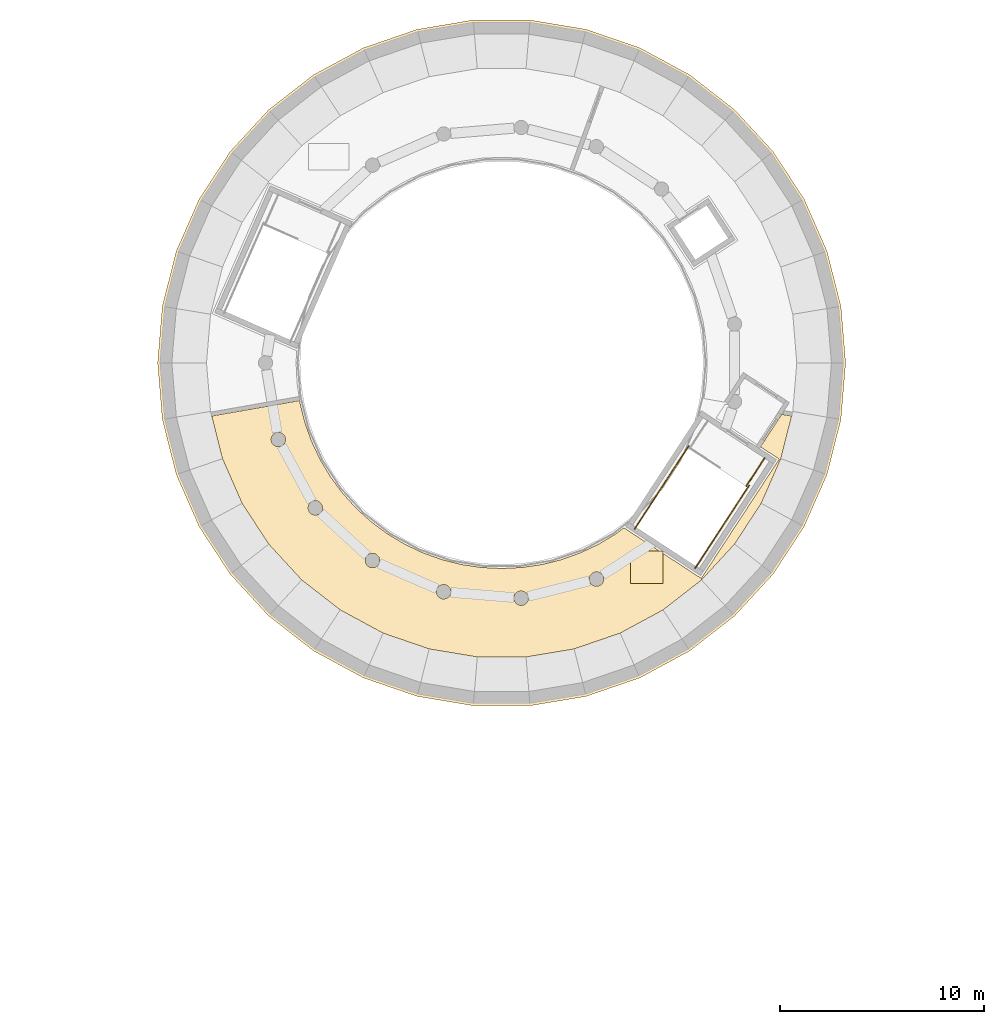
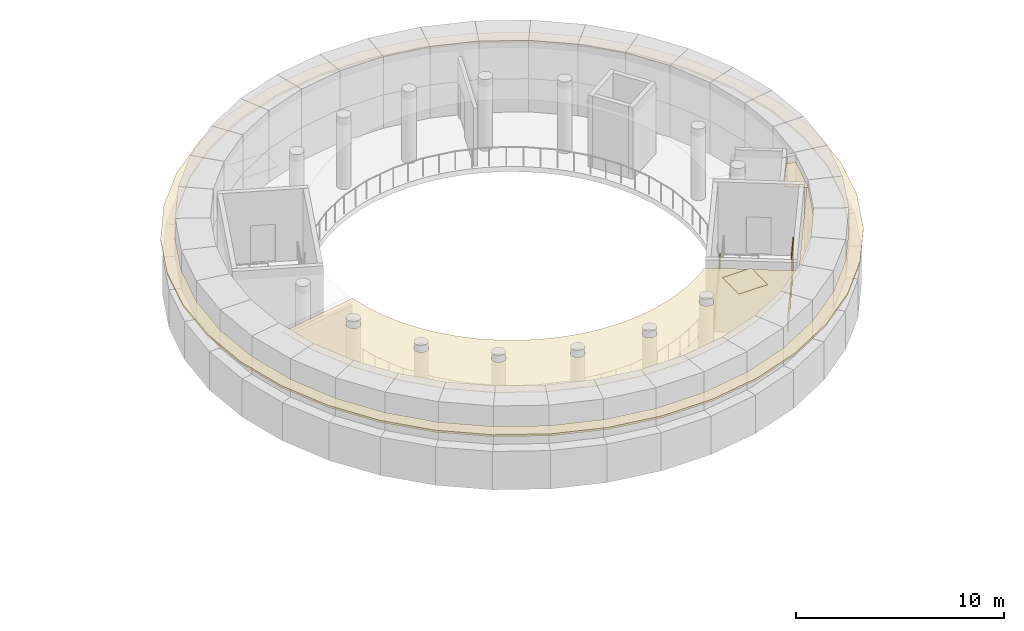
# One storey, part 86 of 92: 3 coverings, 3 railings.
"""IFC4 building model written with IfcOpenShell, lengths in metres."""

from ifc_helpers import new_model, si_unit, direction, frame, origin, origin_2d, place, context, subcontext, project, spatial, polyline, circle, outline, extrude, material, layer, layer_set, type_object, element, save


model = new_model("IFC4")

# Units and contexts
model_context = context("Model", 3, precision=1e-05, world=origin(), true_north=direction((0.0, 1.0)))
body_context = subcontext(model_context, "Body", "Model", "MODEL_VIEW")
ifc_project = project(units=[si_unit("LENGTHUNIT", "METRE"), si_unit("AREAUNIT", "SQUARE_METRE"), si_unit("VOLUMEUNIT", "CUBIC_METRE"), si_unit("PLANEANGLEUNIT", "RADIAN"), si_unit("MASSUNIT", "GRAM", prefix="KILO")], contexts=[model_context])

# Site, building, storey
site_placement = place(None, origin())
site = spatial("IfcSite", under=ifc_project, at=site_placement, CompositionType="ELEMENT")
building_placement = place(site_placement, origin())
building = spatial("IfcBuilding", under=site, at=building_placement, Name="Sun Court Science Centre", CompositionType="ELEMENT")
storey_placement = place(building_placement, frame((0.0, 0.0, 11.25)))
storey = spatial("IfcBuildingStorey", under=building, at=storey_placement, Name="L02", CompositionType="ELEMENT", Elevation=11.25)

# Coverings
ifc_material_1 = material(Name="Gypsum board")
ifc_layer_1 = layer(ifc_material_1, 0.030029296875)
ifc_layer_set_1 = layer_set([ifc_layer_1], Name="Gypsum board")
covering_type_1 = type_object("IfcCoveringType", Name="Ceiling suspended 600 module", PredefinedType="CEILING", material=ifc_layer_set_1)
covering_1_placement = place(storey_placement, frame((0.0, 0.0, 3.77001953125)))
element("IfcCovering", 1, at=covering_1_placement, inside=storey, type_object=covering_type_1, Name="L02-065 ceiling", PredefinedType="CEILING", context=body_context, shape_type="SweptSolid", body=[
    extrude(outline(polyline([(45.388671875, 88.402099609375), (46.239013671875, 87.892578125), (47.135009765625, 87.46875), (48.068115234375, 87.135009765625), (49.029541015625, 86.89404296875), (50.010009765625, 86.74853515625), (51.0, 86.699951171875), (51.989990234375, 86.74853515625), (52.970458984375, 86.89404296875), (53.931884765625, 87.135009765625), (54.864990234375, 87.46875), (55.760986328125, 87.892578125), (56.611328125, 88.402099609375), (57.00634765625, 88.695068359375), (58.757080078125, 87.55126953125), (57.332275390625, 87.55126953125), (57.332275390625, 85.951171875), (58.93212890625, 85.951171875), (58.93212890625, 87.436767578125), (60.805908203125, 86.212646484375), (64.634521484375, 92.07275390625), (63.7138671875, 92.674560546875), (64.7578125, 94.272705078125), (65.2431640625, 94.18701171875), (64.712646484375, 92.09228515625), (63.7509765625, 89.899658203125), (62.441162109375, 87.89501953125), (60.8193359375, 86.13330078125), (58.9296875, 84.66259765625), (56.823974609375, 83.52294921875), (54.55908203125, 82.745361328125), (52.197265625, 82.351318359375), (49.802734375, 82.351318359375), (47.44091796875, 82.745361328125), (45.176025390625, 83.52294921875), (43.0703125, 84.66259765625), (41.1806640625, 86.13330078125), (39.558837890625, 87.89501953125), (38.2490234375, 89.899658203125), (37.287353515625, 92.09228515625), (36.7568359375, 94.18701171875), (41.076416015625, 94.94873046875), (41.093994140625, 94.82958984375), (41.3349609375, 93.8681640625), (41.668701171875, 92.934814453125), (42.092529296875, 92.038818359375), (42.602294921875, 91.188720703125), (43.192626953125, 90.392578125), (43.858154296875, 89.658203125), (44.592529296875, 88.99267578125), (45.388671875, 88.402099609375)]), holes=[polyline([(56.009765625, 86.177001953125), (56.0087890625, 86.199951171875), (56.006591796875, 86.22265625), (56.0029296875, 86.245361328125), (55.997802734375, 86.267578125), (55.9912109375, 86.28955078125), (55.98291015625, 86.31103515625), (55.9736328125, 86.331787109375), (55.962890625, 86.35205078125), (55.95068359375, 86.37158203125), (55.937255859375, 86.39013671875), (55.9228515625, 86.40771484375), (55.9072265625, 86.424560546875), (55.890380859375, 86.440185546875), (55.872802734375, 86.45458984375), (55.85400390625, 86.468017578125), (55.834716796875, 86.47998046875), (55.814453125, 86.490966796875), (55.793701171875, 86.50048828125), (55.772216796875, 86.508544921875), (55.750244140625, 86.51513671875), (55.727783203125, 86.520263671875), (55.705322265625, 86.52392578125), (55.6826171875, 86.5263671875), (55.65966796875, 86.527099609375), (55.63671875, 86.5263671875), (55.614013671875, 86.52392578125), (55.59130859375, 86.520263671875), (55.569091796875, 86.51513671875), (55.547119140625, 86.508544921875), (55.525634765625, 86.50048828125), (55.5048828125, 86.490966796875), (55.484619140625, 86.47998046875), (55.465087890625, 86.468017578125), (55.446533203125, 86.45458984375), (55.428955078125, 86.440185546875), (55.412109375, 86.424560546875), (55.396484375, 86.40771484375), (55.382080078125, 86.39013671875), (55.36865234375, 86.37158203125), (55.356689453125, 86.35205078125), (55.345703125, 86.331787109375), (55.336181640625, 86.31103515625), (55.328125, 86.28955078125), (55.321533203125, 86.267578125), (55.31640625, 86.245361328125), (55.312744140625, 86.22265625), (55.310302734375, 86.199951171875), (55.309814453125, 86.177001953125), (55.310302734375, 86.154052734375), (55.312744140625, 86.13134765625), (55.31640625, 86.108642578125), (55.321533203125, 86.08642578125), (55.328125, 86.064453125), (55.336181640625, 86.043212890625), (55.345703125, 86.022216796875), (55.356689453125, 86.001953125), (55.36865234375, 85.982666015625), (55.382080078125, 85.964111328125), (55.396484375, 85.9462890625), (55.412109375, 85.929443359375), (55.428955078125, 85.913818359375), (55.446533203125, 85.8994140625), (55.465087890625, 85.885986328125), (55.484619140625, 85.873779296875), (55.5048828125, 85.863037109375), (55.525634765625, 85.853759765625), (55.547119140625, 85.845703125), (55.569091796875, 85.839111328125), (55.59130859375, 85.833740234375), (55.614013671875, 85.830078125), (55.63671875, 85.827880859375), (55.65966796875, 85.826904296875), (55.6826171875, 85.827880859375), (55.705322265625, 85.830078125), (55.727783203125, 85.833740234375), (55.750244140625, 85.839111328125), (55.772216796875, 85.845703125), (55.793701171875, 85.853759765625), (55.814453125, 85.863037109375), (55.834716796875, 85.873779296875), (55.85400390625, 85.885986328125), (55.872802734375, 85.8994140625), (55.890380859375, 85.913818359375), (55.9072265625, 85.929443359375), (55.9228515625, 85.9462890625), (55.937255859375, 85.964111328125), (55.95068359375, 85.982666015625), (55.962890625, 86.001953125), (55.9736328125, 86.022216796875), (55.98291015625, 86.043212890625), (55.9912109375, 86.064453125), (55.997802734375, 86.08642578125), (56.0029296875, 86.108642578125), (56.006591796875, 86.13134765625), (56.0087890625, 86.154052734375), (56.009765625, 86.177001953125)]), polyline([(52.307861328125, 85.239501953125), (52.30712890625, 85.262451171875), (52.304931640625, 85.285400390625), (52.30126953125, 85.307861328125), (52.2958984375, 85.330078125), (52.289306640625, 85.35205078125), (52.28125, 85.37353515625), (52.271728515625, 85.394287109375), (52.260986328125, 85.41455078125), (52.248779296875, 85.43408203125), (52.235595703125, 85.45263671875), (52.22119140625, 85.470458984375), (52.205322265625, 85.487060546875), (52.188720703125, 85.502685546875), (52.1708984375, 85.517333984375), (52.15234375, 85.530517578125), (52.1328125, 85.542724609375), (52.11279296875, 85.553466796875), (52.091796875, 85.56298828125), (52.0703125, 85.571044921875), (52.048583984375, 85.57763671875), (52.026123046875, 85.5830078125), (52.003662109375, 85.586669921875), (51.980712890625, 85.5888671875), (51.9580078125, 85.589599609375), (51.93505859375, 85.5888671875), (51.912109375, 85.586669921875), (51.8896484375, 85.5830078125), (51.8671875, 85.57763671875), (51.845458984375, 85.571044921875), (51.823974609375, 85.56298828125), (51.802978515625, 85.553466796875), (51.782958984375, 85.542724609375), (51.763427734375, 85.530517578125), (51.744873046875, 85.517333984375), (51.72705078125, 85.502685546875), (51.71044921875, 85.487060546875), (51.69482421875, 85.470458984375), (51.68017578125, 85.45263671875), (51.6669921875, 85.43408203125), (51.65478515625, 85.41455078125), (51.64404296875, 85.394287109375), (51.634521484375, 85.37353515625), (51.62646484375, 85.35205078125), (51.619873046875, 85.330078125), (51.614501953125, 85.307861328125), (51.61083984375, 85.285400390625), (51.608642578125, 85.262451171875), (51.60791015625, 85.239501953125), (51.608642578125, 85.216796875), (51.61083984375, 85.19384765625), (51.614501953125, 85.17138671875), (51.619873046875, 85.14892578125), (51.62646484375, 85.127197265625), (51.634521484375, 85.105712890625), (51.64404296875, 85.084716796875), (51.65478515625, 85.064697265625), (51.6669921875, 85.045166015625), (51.68017578125, 85.026611328125), (51.69482421875, 85.0087890625), (51.71044921875, 84.9921875), (51.72705078125, 84.9765625), (51.744873046875, 84.9619140625), (51.763427734375, 84.948486328125), (51.782958984375, 84.9365234375), (51.802978515625, 84.92578125), (51.823974609375, 84.916259765625), (51.845458984375, 84.908203125), (51.8671875, 84.901611328125), (51.8896484375, 84.896240234375), (51.912109375, 84.892578125), (51.93505859375, 84.890380859375), (51.9580078125, 84.8896484375), (51.980712890625, 84.890380859375), (52.003662109375, 84.892578125), (52.026123046875, 84.896240234375), (52.048583984375, 84.901611328125), (52.0703125, 84.908203125), (52.091796875, 84.916259765625), (52.11279296875, 84.92578125), (52.1328125, 84.9365234375), (52.15234375, 84.948486328125), (52.1708984375, 84.9619140625), (52.188720703125, 84.9765625), (52.205322265625, 84.9921875), (52.22119140625, 85.0087890625), (52.235595703125, 85.026611328125), (52.248779296875, 85.045166015625), (52.260986328125, 85.064697265625), (52.271728515625, 85.084716796875), (52.28125, 85.105712890625), (52.289306640625, 85.127197265625), (52.2958984375, 85.14892578125), (52.30126953125, 85.17138671875), (52.304931640625, 85.19384765625), (52.30712890625, 85.216796875), (52.307861328125, 85.239501953125)]), polyline([(48.49951171875, 85.50927734375), (48.501708984375, 85.531982421875), (48.50244140625, 85.554931640625), (48.501708984375, 85.577880859375), (48.49951171875, 85.6005859375), (48.49560546875, 85.623291015625), (48.490478515625, 85.6455078125), (48.48388671875, 85.66748046875), (48.4755859375, 85.68896484375), (48.46630859375, 85.709716796875), (48.45556640625, 85.72998046875), (48.443359375, 85.74951171875), (48.429931640625, 85.76806640625), (48.41552734375, 85.78564453125), (48.39990234375, 85.802490234375), (48.383056640625, 85.818115234375), (48.365478515625, 85.83251953125), (48.3466796875, 85.845947265625), (48.327392578125, 85.858154296875), (48.30712890625, 85.868896484375), (48.286376953125, 85.87841796875), (48.264892578125, 85.886474609375), (48.242919921875, 85.89306640625), (48.220703125, 85.898193359375), (48.197998046875, 85.902099609375), (48.17529296875, 85.904296875), (48.15234375, 85.905029296875), (48.12939453125, 85.904296875), (48.106689453125, 85.902099609375), (48.083984375, 85.898193359375), (48.061767578125, 85.89306640625), (48.039794921875, 85.886474609375), (48.018310546875, 85.87841796875), (47.99755859375, 85.868896484375), (47.977294921875, 85.858154296875), (47.9580078125, 85.845947265625), (47.939208984375, 85.83251953125), (47.921630859375, 85.818115234375), (47.90478515625, 85.802490234375), (47.88916015625, 85.78564453125), (47.874755859375, 85.76806640625), (47.861328125, 85.74951171875), (47.849365234375, 85.72998046875), (47.83837890625, 85.709716796875), (47.8291015625, 85.68896484375), (47.82080078125, 85.66748046875), (47.814208984375, 85.6455078125), (47.80908203125, 85.623291015625), (47.805419921875, 85.6005859375), (47.802978515625, 85.577880859375), (47.802490234375, 85.554931640625), (47.802978515625, 85.531982421875), (47.805419921875, 85.50927734375), (47.80908203125, 85.48681640625), (47.814208984375, 85.46435546875), (47.82080078125, 85.4423828125), (47.8291015625, 85.4208984375), (47.83837890625, 85.400146484375), (47.849365234375, 85.3798828125), (47.861328125, 85.360595703125), (47.874755859375, 85.341796875), (47.88916015625, 85.32421875), (47.90478515625, 85.3076171875), (47.921630859375, 85.291748046875), (47.939208984375, 85.27734375), (47.9580078125, 85.263916015625), (47.977294921875, 85.251708984375), (47.99755859375, 85.2412109375), (48.018310546875, 85.231689453125), (48.039794921875, 85.223388671875), (48.061767578125, 85.216796875), (48.083984375, 85.211669921875), (48.106689453125, 85.2080078125), (48.12939453125, 85.205810546875), (48.15234375, 85.205078125), (48.17529296875, 85.205810546875), (48.197998046875, 85.2080078125), (48.220703125, 85.211669921875), (48.242919921875, 85.216796875), (48.264892578125, 85.223388671875), (48.286376953125, 85.231689453125), (48.30712890625, 85.2412109375), (48.327392578125, 85.251708984375), (48.3466796875, 85.263916015625), (48.365478515625, 85.27734375), (48.383056640625, 85.291748046875), (48.39990234375, 85.3076171875), (48.41552734375, 85.32421875), (48.429931640625, 85.341796875), (48.443359375, 85.360595703125), (48.45556640625, 85.3798828125), (48.46630859375, 85.400146484375), (48.4755859375, 85.4208984375), (48.48388671875, 85.4423828125), (48.490478515625, 85.46435546875), (48.49560546875, 85.48681640625), (48.49951171875, 85.50927734375)]), polyline([(45.00244140625, 87.043212890625), (45.004638671875, 87.06591796875), (45.00537109375, 87.0888671875), (45.004638671875, 87.11181640625), (45.00244140625, 87.134521484375), (44.998779296875, 87.1572265625), (44.993408203125, 87.179443359375), (44.98681640625, 87.201416015625), (44.978759765625, 87.222900390625), (44.96923828125, 87.24365234375), (44.95849609375, 87.263916015625), (44.9462890625, 87.283203125), (44.93310546875, 87.302001953125), (44.91845703125, 87.319580078125), (44.90283203125, 87.33642578125), (44.88623046875, 87.35205078125), (44.868408203125, 87.366455078125), (44.849853515625, 87.3798828125), (44.830322265625, 87.39208984375), (44.810302734375, 87.40283203125), (44.789306640625, 87.412109375), (44.767822265625, 87.42041015625), (44.74609375, 87.427001953125), (44.7236328125, 87.43212890625), (44.701171875, 87.435791015625), (44.67822265625, 87.43798828125), (44.655517578125, 87.43896484375), (44.632568359375, 87.43798828125), (44.609619140625, 87.435791015625), (44.587158203125, 87.43212890625), (44.564697265625, 87.427001953125), (44.54296875, 87.42041015625), (44.521484375, 87.412109375), (44.50048828125, 87.40283203125), (44.48046875, 87.39208984375), (44.4609375, 87.3798828125), (44.4423828125, 87.366455078125), (44.424560546875, 87.35205078125), (44.407958984375, 87.33642578125), (44.392333984375, 87.319580078125), (44.377685546875, 87.302001953125), (44.364501953125, 87.283203125), (44.352294921875, 87.263916015625), (44.341552734375, 87.24365234375), (44.33203125, 87.222900390625), (44.323974609375, 87.201416015625), (44.3173828125, 87.179443359375), (44.31201171875, 87.1572265625), (44.308349609375, 87.134521484375), (44.30615234375, 87.11181640625), (44.305419921875, 87.0888671875), (44.30615234375, 87.06591796875), (44.308349609375, 87.043212890625), (44.31201171875, 87.0205078125), (44.3173828125, 86.998291015625), (44.323974609375, 86.976318359375), (44.33203125, 86.954833984375), (44.341552734375, 86.93408203125), (44.352294921875, 86.913818359375), (44.364501953125, 86.894287109375), (44.377685546875, 86.875732421875), (44.392333984375, 86.858154296875), (44.407958984375, 86.84130859375), (44.424560546875, 86.82568359375), (44.4423828125, 86.811279296875), (44.4609375, 86.7978515625), (44.48046875, 86.785888671875), (44.50048828125, 86.77490234375), (44.521484375, 86.765380859375), (44.54296875, 86.75732421875), (44.564697265625, 86.750732421875), (44.587158203125, 86.74560546875), (44.609619140625, 86.741943359375), (44.632568359375, 86.739501953125), (44.655517578125, 86.739013671875), (44.67822265625, 86.739501953125), (44.701171875, 86.741943359375), (44.7236328125, 86.74560546875), (44.74609375, 86.750732421875), (44.767822265625, 86.75732421875), (44.789306640625, 86.765380859375), (44.810302734375, 86.77490234375), (44.830322265625, 86.785888671875), (44.849853515625, 86.7978515625), (44.868408203125, 86.811279296875), (44.88623046875, 86.82568359375), (44.90283203125, 86.84130859375), (44.91845703125, 86.858154296875), (44.93310546875, 86.875732421875), (44.9462890625, 86.894287109375), (44.95849609375, 86.913818359375), (44.96923828125, 86.93408203125), (44.978759765625, 86.954833984375), (44.98681640625, 86.976318359375), (44.993408203125, 86.998291015625), (44.998779296875, 87.0205078125), (45.00244140625, 87.043212890625)]), polyline([(42.189208984375, 89.60693359375), (42.193115234375, 89.62939453125), (42.1953125, 89.652099609375), (42.196044921875, 89.675048828125), (42.1953125, 89.697998046875), (42.193115234375, 89.720703125), (42.189208984375, 89.743408203125), (42.18408203125, 89.765625), (42.177490234375, 89.78759765625), (42.169189453125, 89.80908203125), (42.159912109375, 89.829833984375), (42.149169921875, 89.85009765625), (42.136962890625, 89.86962890625), (42.12353515625, 89.88818359375), (42.109130859375, 89.906005859375), (42.093505859375, 89.922607421875), (42.07666015625, 89.938232421875), (42.05908203125, 89.952880859375), (42.040283203125, 89.966064453125), (42.02099609375, 89.978271484375), (42.000732421875, 89.989013671875), (41.97998046875, 89.99853515625), (41.95849609375, 90.006591796875), (41.9365234375, 90.01318359375), (41.914306640625, 90.018310546875), (41.8916015625, 90.022216796875), (41.868896484375, 90.0244140625), (41.845947265625, 90.025146484375), (41.822998046875, 90.0244140625), (41.80029296875, 90.022216796875), (41.777587890625, 90.018310546875), (41.75537109375, 90.01318359375), (41.7333984375, 90.006591796875), (41.7119140625, 89.99853515625), (41.691162109375, 89.989013671875), (41.6708984375, 89.978271484375), (41.651611328125, 89.966064453125), (41.6328125, 89.952880859375), (41.615234375, 89.938232421875), (41.598388671875, 89.922607421875), (41.582763671875, 89.906005859375), (41.568359375, 89.88818359375), (41.554931640625, 89.86962890625), (41.54296875, 89.85009765625), (41.531982421875, 89.829833984375), (41.522705078125, 89.80908203125), (41.514404296875, 89.78759765625), (41.5078125, 89.765625), (41.502685546875, 89.743408203125), (41.4990234375, 89.720703125), (41.49658203125, 89.697998046875), (41.49609375, 89.675048828125), (41.49658203125, 89.652099609375), (41.4990234375, 89.62939453125), (41.502685546875, 89.60693359375), (41.5078125, 89.58447265625), (41.514404296875, 89.5625), (41.522705078125, 89.541259765625), (41.531982421875, 89.520263671875), (41.54296875, 89.5), (41.554931640625, 89.480712890625), (41.568359375, 89.462158203125), (41.582763671875, 89.4443359375), (41.598388671875, 89.427490234375), (41.615234375, 89.412109375), (41.6328125, 89.3974609375), (41.651611328125, 89.384033203125), (41.6708984375, 89.3720703125), (41.691162109375, 89.361083984375), (41.7119140625, 89.351806640625), (41.7333984375, 89.34375), (41.75537109375, 89.337158203125), (41.777587890625, 89.331787109375), (41.80029296875, 89.328125), (41.822998046875, 89.325927734375), (41.845947265625, 89.3251953125), (41.868896484375, 89.325927734375), (41.8916015625, 89.328125), (41.914306640625, 89.331787109375), (41.9365234375, 89.337158203125), (41.95849609375, 89.34375), (41.97998046875, 89.351806640625), (42.000732421875, 89.361083984375), (42.02099609375, 89.3720703125), (42.040283203125, 89.384033203125), (42.05908203125, 89.3974609375), (42.07666015625, 89.412109375), (42.093505859375, 89.427490234375), (42.109130859375, 89.4443359375), (42.12353515625, 89.462158203125), (42.136962890625, 89.480712890625), (42.149169921875, 89.5), (42.159912109375, 89.520263671875), (42.169189453125, 89.541259765625), (42.177490234375, 89.5625), (42.18408203125, 89.58447265625), (42.189208984375, 89.60693359375)]), polyline([(40.36669921875, 92.94287109375), (40.371826171875, 92.965087890625), (40.37548828125, 92.98779296875), (40.377685546875, 93.010498046875), (40.37841796875, 93.033447265625), (40.377685546875, 93.056396484375), (40.37548828125, 93.0791015625), (40.371826171875, 93.101806640625), (40.36669921875, 93.1240234375), (40.35986328125, 93.14599609375), (40.351806640625, 93.16748046875), (40.34228515625, 93.188232421875), (40.33154296875, 93.20849609375), (40.319580078125, 93.227783203125), (40.30615234375, 93.24658203125), (40.291748046875, 93.264404296875), (40.27587890625, 93.281005859375), (40.25927734375, 93.296630859375), (40.24169921875, 93.311279296875), (40.222900390625, 93.324462890625), (40.20361328125, 93.336669921875), (40.183349609375, 93.347412109375), (40.16259765625, 93.356689453125), (40.14111328125, 93.364990234375), (40.119140625, 93.37158203125), (40.0966796875, 93.376708984375), (40.07421875, 93.380615234375), (40.051513671875, 93.3828125), (40.028564453125, 93.383544921875), (40.005615234375, 93.3828125), (39.98291015625, 93.380615234375), (39.960205078125, 93.376708984375), (39.93798828125, 93.37158203125), (39.916015625, 93.364990234375), (39.89453125, 93.356689453125), (39.873779296875, 93.347412109375), (39.853515625, 93.336669921875), (39.833984375, 93.324462890625), (39.8154296875, 93.311279296875), (39.797607421875, 93.296630859375), (39.781005859375, 93.281005859375), (39.765380859375, 93.264404296875), (39.750732421875, 93.24658203125), (39.737548828125, 93.227783203125), (39.725341796875, 93.20849609375), (39.714599609375, 93.188232421875), (39.705078125, 93.16748046875), (39.697021484375, 93.14599609375), (39.6904296875, 93.1240234375), (39.685302734375, 93.101806640625), (39.681396484375, 93.0791015625), (39.67919921875, 93.056396484375), (39.678466796875, 93.033447265625), (39.67919921875, 93.010498046875), (39.681396484375, 92.98779296875), (39.685302734375, 92.965087890625), (39.6904296875, 92.94287109375), (39.697021484375, 92.9208984375), (39.705078125, 92.8994140625), (39.714599609375, 92.878662109375), (39.725341796875, 92.8583984375), (39.737548828125, 92.839111328125), (39.750732421875, 92.8203125), (39.765380859375, 92.802734375), (39.781005859375, 92.785888671875), (39.797607421875, 92.770263671875), (39.8154296875, 92.755859375), (39.833984375, 92.742431640625), (39.853515625, 92.73046875), (39.873779296875, 92.719482421875), (39.89453125, 92.710205078125), (39.916015625, 92.7021484375), (39.93798828125, 92.6953125), (39.960205078125, 92.690185546875), (39.98291015625, 92.6865234375), (40.005615234375, 92.68408203125), (40.028564453125, 92.68359375), (40.051513671875, 92.68408203125), (40.07421875, 92.6865234375), (40.0966796875, 92.690185546875), (40.119140625, 92.6953125), (40.14111328125, 92.7021484375), (40.16259765625, 92.710205078125), (40.183349609375, 92.719482421875), (40.20361328125, 92.73046875), (40.222900390625, 92.742431640625), (40.24169921875, 92.755859375), (40.25927734375, 92.770263671875), (40.27587890625, 92.785888671875), (40.291748046875, 92.802734375), (40.30615234375, 92.8203125), (40.319580078125, 92.839111328125), (40.33154296875, 92.8583984375), (40.34228515625, 92.878662109375), (40.351806640625, 92.8994140625), (40.35986328125, 92.9208984375), (40.36669921875, 92.94287109375)])]), origin(), (0.0, 0.0, 1.0), 0.030029296875),
])
covering_2_placement = place(storey_placement, frame((0.0, 0.0, 3.77001953125)))
element("IfcCovering", 2, at=covering_2_placement, inside=storey, type_object=covering_type_1, Name="L02-068 ceiling", PredefinedType="CEILING", context=body_context, shape_type="SweptSolid", body=[
    extrude(outline(polyline([(58.93212890625, 87.55126953125), (58.93212890625, 85.951171875), (57.332275390625, 85.951171875), (57.332275390625, 87.55126953125), (58.93212890625, 87.55126953125)])), origin(), (0.0, 0.0, 1.0), 0.030029296875),
])

# Railings
ifc_material_2 = material(Name="Steel S275", Category="steel")
railing_type = type_object("IfcRailingType", Name="Guard 1100 steel balustrade", PredefinedType="GUARDRAIL", material=ifc_material_2)
for number, where, name in (
    (3, (60.186767578125, 92.711669921875, 0.0), "L02 PS1 top well guard 2"),
    (4, (63.1552734375, 90.772216796875, 0.0), "L02 PS1 top well guard 3"),
):
    element("IfcRailing", number, at=place(storey_placement, frame(where)), inside=storey, type_object=railing_type, Name=name, PredefinedType="GUARDRAIL", context=body_context, shape_type="SweptSolid", body=[
        extrude(circle(Radius=0.02392578125, at=origin_2d()), frame((0.0, 0.0, 1.076171875), z_axis=(-0.546942941702, -0.837169886297, 0.0), x_axis=(0.837169886297, -0.546942941702, 0.0)), (0.0, 0.0, 1.0), 4.85205078125),
        extrude(circle(Radius=0.02099609375, at=origin_2d()), origin(), (0.0, 0.0, 1.0), 1.052001953125),
        extrude(circle(Radius=0.02099609375, at=origin_2d()), frame((-0.53076171875, -0.8125, 0.0)), (0.0, 0.0, 1.0), 1.052001953125),
        extrude(circle(Radius=0.02099609375, at=origin_2d()), frame((-1.0615234375, -1.624755859375, 0.0)), (0.0, 0.0, 1.0), 1.052001953125),
        extrude(circle(Radius=0.02099609375, at=origin_2d()), frame((-1.59228515625, -2.437255859375, 0.0)), (0.0, 0.0, 1.0), 1.052001953125),
        extrude(circle(Radius=0.02099609375, at=origin_2d()), frame((-2.123046875, -3.24951171875, 0.0)), (0.0, 0.0, 1.0), 1.052001953125),
        extrude(circle(Radius=0.02099609375, at=origin_2d()), frame((-2.65380859375, -4.06201171875, 0.0)), (0.0, 0.0, 1.0), 1.052001953125),
    ])
railing_placement = place(storey_placement, frame((63.918212890625, 92.122802734375, 0.0)))
element("IfcRailing", 5, at=railing_placement, inside=storey, type_object=railing_type, Name="L02 PS1 top well guard 5", PredefinedType="GUARDRAIL", context=body_context, shape_type="SweptSolid", body=[
    extrude(circle(Radius=0.02392578125, at=origin_2d()), frame((0.0, 0.0, 1.076171875), z_axis=(-0.546949968366, -0.837165295568, 0.0), x_axis=(0.837165295568, -0.546949968366, 0.0)), (0.0, 0.0, 1.0), 1.64794921875),
    extrude(circle(Radius=0.02099609375, at=origin_2d()), origin(), (0.0, 0.0, 1.0), 1.052001953125),
    extrude(circle(Radius=0.02099609375, at=origin_2d()), frame((-0.45068359375, -0.68994140625, 0.0)), (0.0, 0.0, 1.0), 1.052001953125),
    extrude(circle(Radius=0.02099609375, at=origin_2d()), frame((-0.9013671875, -1.379638671875, 0.0)), (0.0, 0.0, 1.0), 1.052001953125),
])

# Covering
ifc_material_3 = material(Name="Red sandstone", Category="masonry")
ifc_layer_2 = layer(ifc_material_3, 0.1201171875)
ifc_layer_set_2 = layer_set([ifc_layer_2], Name="Red sandstone")
covering_type_2 = type_object("IfcCoveringType", Name="Sandstone chhajja eave 900", PredefinedType="CLADDING", material=ifc_layer_set_2)
covering_3_placement = place(storey_placement, frame((0.0, 0.0, 2.8798828125)))
element("IfcCovering", 6, at=covering_3_placement, inside=storey, type_object=covering_type_2, Name="Chhajja ring of the planetarium drum", PredefinedType="CLADDING", context=body_context, shape_type="SweptSolid", body=[
    extrude(outline(polyline([(67.89990234375, 96.800048828125), (67.66943359375, 94.018310546875), (66.984375, 91.3125), (65.863037109375, 88.756591796875), (64.33642578125, 86.419921875), (62.446044921875, 84.3662109375), (60.243408203125, 82.65185546875), (57.78857421875, 81.323486328125), (55.148681640625, 80.417236328125), (52.3955078125, 79.957763671875), (49.6044921875, 79.957763671875), (46.851318359375, 80.417236328125), (44.21142578125, 81.323486328125), (41.756591796875, 82.65185546875), (39.553955078125, 84.3662109375), (37.66357421875, 86.419921875), (36.136962890625, 88.756591796875), (35.015625, 91.3125), (34.33056640625, 94.018310546875), (34.10009765625, 96.800048828125), (34.33056640625, 99.58154296875), (35.015625, 102.287353515625), (36.136962890625, 104.843505859375), (37.66357421875, 107.18017578125), (39.553955078125, 109.233642578125), (41.756591796875, 110.947998046875), (44.21142578125, 112.276611328125), (46.851318359375, 113.182861328125), (49.6044921875, 113.642333984375), (52.3955078125, 113.642333984375), (55.148681640625, 113.182861328125), (57.78857421875, 112.276611328125), (60.243408203125, 110.947998046875), (62.446044921875, 109.233642578125), (64.33642578125, 107.18017578125), (65.863037109375, 104.843505859375), (66.984375, 102.287353515625), (67.66943359375, 99.58154296875), (67.89990234375, 96.800048828125)]), holes=[polyline([(66.322265625, 102.06005859375), (65.24755859375, 104.51025390625), (63.7841796875, 106.750244140625), (61.971923828125, 108.71875), (59.860595703125, 110.362060546875), (57.507568359375, 111.635498046875), (54.976806640625, 112.50439453125), (52.337890625, 112.944580078125), (49.662109375, 112.944580078125), (47.023193359375, 112.50439453125), (44.492431640625, 111.635498046875), (42.139404296875, 110.362060546875), (40.028076171875, 108.71875), (38.2158203125, 106.750244140625), (36.75244140625, 104.51025390625), (35.677734375, 102.06005859375), (35.02099609375, 99.466552734375), (34.800048828125, 96.800048828125), (35.02099609375, 94.133544921875), (35.677734375, 91.539794921875), (36.75244140625, 89.089599609375), (38.2158203125, 86.849853515625), (40.028076171875, 84.88134765625), (42.139404296875, 83.23779296875), (44.492431640625, 81.96435546875), (47.023193359375, 81.095703125), (49.662109375, 80.6552734375), (52.337890625, 80.6552734375), (54.976806640625, 81.095703125), (57.507568359375, 81.96435546875), (59.860595703125, 83.23779296875), (61.971923828125, 84.88134765625), (63.7841796875, 86.849853515625), (65.24755859375, 89.089599609375), (66.322265625, 91.539794921875), (66.97900390625, 94.133544921875), (67.199951171875, 96.800048828125), (66.97900390625, 99.466552734375), (66.322265625, 102.06005859375)])]), origin(), (0.0, 0.0, 1.0), 0.1201171875),
])

save(model, "model.ifc")
